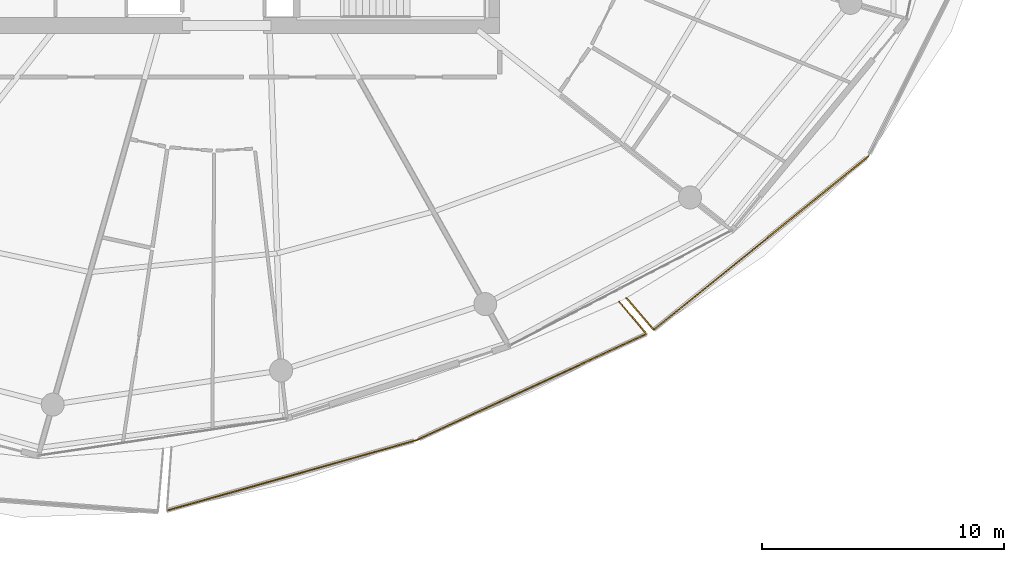
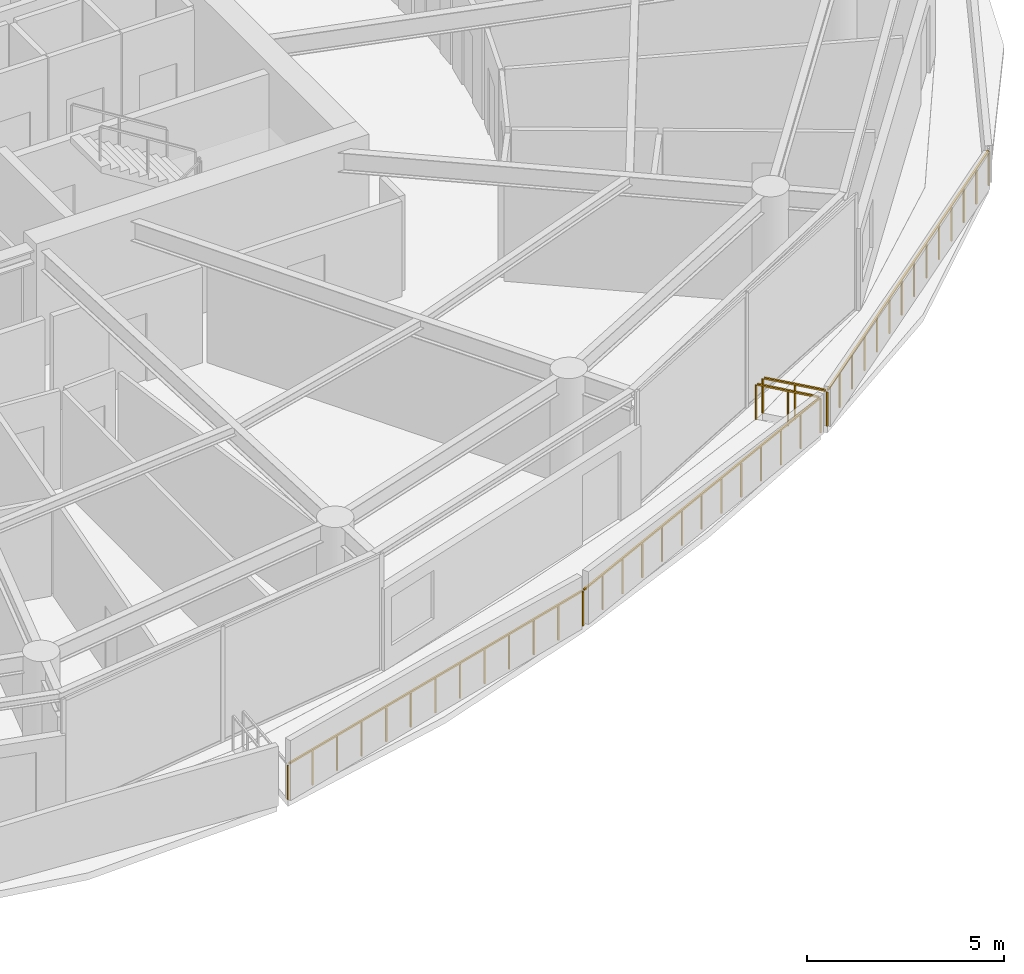
# One storey, part 26 of 30: 5 railings.
"""IFC4 building model written with IfcOpenShell, lengths in metres."""

from ifc_helpers import new_model, si_unit, direction, frame, origin, origin_2d, place, context, subcontext, project, spatial, rectangle, extrude, material, type_object, element, save


model = new_model("IFC4")

# Units and contexts
model_context = context("Model", 3, precision=1e-05, world=origin(), true_north=direction((0.0, 1.0)))
body_context = subcontext(model_context, "Body", "Model", "MODEL_VIEW")
ifc_project = project(units=[si_unit("LENGTHUNIT", "METRE"), si_unit("AREAUNIT", "SQUARE_METRE"), si_unit("VOLUMEUNIT", "CUBIC_METRE"), si_unit("PLANEANGLEUNIT", "RADIAN"), si_unit("MASSUNIT", "GRAM", prefix="KILO")], contexts=[model_context])

# Site, building, storey
site_placement = place(None, origin())
site = spatial("IfcSite", under=ifc_project, at=site_placement, CompositionType="ELEMENT")
building_placement = place(site_placement, origin())
building = spatial("IfcBuilding", under=site, at=building_placement, Name="Kazma Halo Residences", CompositionType="ELEMENT")
storey_placement = place(building_placement, frame((0.0, 0.0, 236.699951171875)))
storey = spatial("IfcBuildingStorey", under=building, at=storey_placement, Name="L59", CompositionType="ELEMENT", Elevation=236.699951171875)

# Railings
ifc_material = material(Name="Aluminium AW-6063 T6 Brushed Cap Rail", Category="aluminium")
railing_type = type_object("IfcRailingType", Name="RLG-BAL-CAP-1120", PredefinedType="BALUSTRADE", material=ifc_material)
railing_1_placement = place(storey_placement, frame((45.94189453125, 13.635498046875, 0.0)))
element("IfcRailing", 1, at=railing_1_placement, inside=storey, type_object=railing_type, Name="L59 SSE wave balcony guard 2", PredefinedType="BALUSTRADE", context=body_context, shape_type="SweptSolid", body=[
    extrude(rectangle(XDim=0.050048828125, YDim=0.050048828125, at=origin_2d()), frame((0.041015625, 0.011474609375, 1.09521484375), z_axis=(0.962459277596, 0.271426120647, 0.0), x_axis=(-0.271426120647, 0.962459277596, 0.0)), (0.0, 0.0, 1.0), 10.645751953125),
    extrude(rectangle(XDim=0.0400390625, YDim=0.0400390625, at=origin_2d()), origin(), (0.0, 0.0, 1.0), 1.05810546875),
    extrude(rectangle(XDim=0.0400390625, YDim=0.0400390625, at=origin_2d()), frame((0.860595703125, 0.24267578125, 0.0)), (0.0, 0.0, 1.0), 1.05810546875),
    extrude(rectangle(XDim=0.0400390625, YDim=0.0400390625, at=origin_2d()), frame((1.72119140625, 0.4853515625, 0.0)), (0.0, 0.0, 1.0), 1.05810546875),
    extrude(rectangle(XDim=0.0400390625, YDim=0.0400390625, at=origin_2d()), frame((2.58203125, 0.72802734375, 0.0)), (0.0, 0.0, 1.0), 1.05810546875),
    extrude(rectangle(XDim=0.0400390625, YDim=0.0400390625, at=origin_2d()), frame((3.442626953125, 0.970947265625, 0.0)), (0.0, 0.0, 1.0), 1.05810546875),
    extrude(rectangle(XDim=0.0400390625, YDim=0.0400390625, at=origin_2d()), frame((4.30322265625, 1.213623046875, 0.0)), (0.0, 0.0, 1.0), 1.05810546875),
    extrude(rectangle(XDim=0.0400390625, YDim=0.0400390625, at=origin_2d()), frame((5.1640625, 1.456298828125, 0.0)), (0.0, 0.0, 1.0), 1.05810546875),
    extrude(rectangle(XDim=0.0400390625, YDim=0.0400390625, at=origin_2d()), frame((6.024658203125, 1.698974609375, 0.0)), (0.0, 0.0, 1.0), 1.05810546875),
    extrude(rectangle(XDim=0.0400390625, YDim=0.0400390625, at=origin_2d()), frame((6.88525390625, 1.941650390625, 0.0)), (0.0, 0.0, 1.0), 1.05810546875),
    extrude(rectangle(XDim=0.0400390625, YDim=0.0400390625, at=origin_2d()), frame((7.745849609375, 2.1845703125, 0.0)), (0.0, 0.0, 1.0), 1.05810546875),
    extrude(rectangle(XDim=0.0400390625, YDim=0.0400390625, at=origin_2d()), frame((8.6064453125, 2.42724609375, 0.0)), (0.0, 0.0, 1.0), 1.05810546875),
    extrude(rectangle(XDim=0.0400390625, YDim=0.0400390625, at=origin_2d()), frame((9.46728515625, 2.669921875, 0.0)), (0.0, 0.0, 1.0), 1.05810546875),
    extrude(rectangle(XDim=0.0400390625, YDim=0.0400390625, at=origin_2d()), frame((10.327880859375, 2.91259765625, 0.0)), (0.0, 0.0, 1.0), 1.05810546875),
])
railing_2_placement = place(storey_placement, frame((56.269775390625, 16.548095703125, 0.0)))
element("IfcRailing", 2, at=railing_2_placement, inside=storey, type_object=railing_type, Name="L59 SSE wave balcony guard 3", PredefinedType="BALUSTRADE", context=body_context, shape_type="SweptSolid", body=[
    extrude(rectangle(XDim=0.050048828125, YDim=0.050048828125, at=origin_2d()), frame((0.03857421875, 0.017822265625, 1.09521484375), z_axis=(0.907848041768, 0.419299335867, 0.0), x_axis=(-0.419299335867, 0.907848041768, 0.0)), (0.0, 0.0, 1.0), 10.378662109375),
    extrude(rectangle(XDim=0.0400390625, YDim=0.0400390625, at=origin_2d()), origin(), (0.0, 0.0, 1.0), 1.05810546875),
    extrude(rectangle(XDim=0.0400390625, YDim=0.0400390625, at=origin_2d()), frame((0.79150390625, 0.36572265625, 0.0)), (0.0, 0.0, 1.0), 1.05810546875),
    extrude(rectangle(XDim=0.0400390625, YDim=0.0400390625, at=origin_2d()), frame((1.583251953125, 0.731201171875, 0.0)), (0.0, 0.0, 1.0), 1.05810546875),
    extrude(rectangle(XDim=0.0400390625, YDim=0.0400390625, at=origin_2d()), frame((2.375, 1.096923828125, 0.0)), (0.0, 0.0, 1.0), 1.05810546875),
    extrude(rectangle(XDim=0.0400390625, YDim=0.0400390625, at=origin_2d()), frame((3.16650390625, 1.46240234375, 0.0)), (0.0, 0.0, 1.0), 1.05810546875),
    extrude(rectangle(XDim=0.0400390625, YDim=0.0400390625, at=origin_2d()), frame((3.9580078125, 1.828125, 0.0)), (0.0, 0.0, 1.0), 1.05810546875),
    extrude(rectangle(XDim=0.0400390625, YDim=0.0400390625, at=origin_2d()), frame((4.749755859375, 2.19384765625, 0.0)), (0.0, 0.0, 1.0), 1.05810546875),
    extrude(rectangle(XDim=0.0400390625, YDim=0.0400390625, at=origin_2d()), frame((5.54150390625, 2.559326171875, 0.0)), (0.0, 0.0, 1.0), 1.05810546875),
    extrude(rectangle(XDim=0.0400390625, YDim=0.0400390625, at=origin_2d()), frame((6.3330078125, 2.925048828125, 0.0)), (0.0, 0.0, 1.0), 1.05810546875),
    extrude(rectangle(XDim=0.0400390625, YDim=0.0400390625, at=origin_2d()), frame((7.12451171875, 3.29052734375, 0.0)), (0.0, 0.0, 1.0), 1.05810546875),
    extrude(rectangle(XDim=0.0400390625, YDim=0.0400390625, at=origin_2d()), frame((7.916259765625, 3.65625, 0.0)), (0.0, 0.0, 1.0), 1.05810546875),
    extrude(rectangle(XDim=0.0400390625, YDim=0.0400390625, at=origin_2d()), frame((8.7080078125, 4.021728515625, 0.0)), (0.0, 0.0, 1.0), 1.05810546875),
    extrude(rectangle(XDim=0.0400390625, YDim=0.0400390625, at=origin_2d()), frame((9.49951171875, 4.387451171875, 0.0)), (0.0, 0.0, 1.0), 1.05810546875),
])
railing_3_placement = place(storey_placement, frame((65.769287109375, 20.935546875, 0.0)))
element("IfcRailing", 3, at=railing_3_placement, inside=storey, type_object=railing_type, Name="L59 SSE wave balcony guard 4", PredefinedType="BALUSTRADE", context=body_context, shape_type="SweptSolid", body=[
    extrude(rectangle(XDim=0.050048828125, YDim=0.050048828125, at=origin_2d()), frame((-0.02734375, 0.032470703125, 1.09521484375), z_axis=(-0.644812173363, 0.764341063324, 0.0), x_axis=(-0.764341063324, -0.644812173363, 0.0)), (0.0, 0.0, 1.0), 1.6591796875),
    extrude(rectangle(XDim=0.0400390625, YDim=0.0400390625, at=origin_2d()), origin(), (0.0, 0.0, 1.0), 1.05810546875),
    extrude(rectangle(XDim=0.0400390625, YDim=0.0400390625, at=origin_2d()), frame((-0.5625, 0.66650390625, 0.0)), (0.0, 0.0, 1.0), 1.05810546875),
    extrude(rectangle(XDim=0.0400390625, YDim=0.0400390625, at=origin_2d()), frame((-1.124755859375, 1.333251953125, 0.0)), (0.0, 0.0, 1.0), 1.05810546875),
])
railing_4_placement = place(storey_placement, frame((64.93212890625, 22.41845703125, 0.0)))
element("IfcRailing", 4, at=railing_4_placement, inside=storey, type_object=railing_type, Name="L59 SE wave balcony guard 1", PredefinedType="BALUSTRADE", context=body_context, shape_type="SweptSolid", body=[
    extrude(rectangle(XDim=0.050048828125, YDim=0.050048828125, at=origin_2d()), frame((0.02783203125, -0.0322265625, 1.09521484375), z_axis=(0.654051886651, -0.7564496874, 0.0), x_axis=(0.7564496874, 0.654051886651, 0.0)), (0.0, 0.0, 1.0), 1.650634765625),
    extrude(rectangle(XDim=0.0400390625, YDim=0.0400390625, at=origin_2d()), origin(), (0.0, 0.0, 1.0), 1.05810546875),
    extrude(rectangle(XDim=0.0400390625, YDim=0.0400390625, at=origin_2d()), frame((0.567626953125, -0.656494140625, 0.0)), (0.0, 0.0, 1.0), 1.05810546875),
    extrude(rectangle(XDim=0.0400390625, YDim=0.0400390625, at=origin_2d()), frame((1.13525390625, -1.31298828125, 0.0)), (0.0, 0.0, 1.0), 1.05810546875),
])
railing_5_placement = place(storey_placement, frame((66.0673828125, 21.10546875, 0.0)))
element("IfcRailing", 5, at=railing_5_placement, inside=storey, type_object=railing_type, Name="L59 SE wave balcony guard 2", PredefinedType="BALUSTRADE", context=body_context, shape_type="SweptSolid", body=[
    extrude(rectangle(XDim=0.050048828125, YDim=0.050048828125, at=origin_2d()), frame((0.033203125, 0.02685546875, 1.09521484375), z_axis=(0.777696828028, 0.628639518067, 0.0), x_axis=(-0.628639518067, 0.777696828028, 0.0)), (0.0, 0.0, 1.0), 11.319580078125),
    extrude(rectangle(XDim=0.0400390625, YDim=0.0400390625, at=origin_2d()), origin(), (0.0, 0.0, 1.0), 1.05810546875),
    extrude(rectangle(XDim=0.0400390625, YDim=0.0400390625, at=origin_2d()), frame((0.682373046875, 0.551513671875, 0.0)), (0.0, 0.0, 1.0), 1.05810546875),
    extrude(rectangle(XDim=0.0400390625, YDim=0.0400390625, at=origin_2d()), frame((1.364501953125, 1.10302734375, 0.0)), (0.0, 0.0, 1.0), 1.05810546875),
    extrude(rectangle(XDim=0.0400390625, YDim=0.0400390625, at=origin_2d()), frame((2.046875, 1.654541015625, 0.0)), (0.0, 0.0, 1.0), 1.05810546875),
    extrude(rectangle(XDim=0.0400390625, YDim=0.0400390625, at=origin_2d()), frame((2.72900390625, 2.2060546875, 0.0)), (0.0, 0.0, 1.0), 1.05810546875),
    extrude(rectangle(XDim=0.0400390625, YDim=0.0400390625, at=origin_2d()), frame((3.411376953125, 2.757568359375, 0.0)), (0.0, 0.0, 1.0), 1.05810546875),
    extrude(rectangle(XDim=0.0400390625, YDim=0.0400390625, at=origin_2d()), frame((4.093505859375, 3.30908203125, 0.0)), (0.0, 0.0, 1.0), 1.05810546875),
    extrude(rectangle(XDim=0.0400390625, YDim=0.0400390625, at=origin_2d()), frame((4.77587890625, 3.8603515625, 0.0)), (0.0, 0.0, 1.0), 1.05810546875),
    extrude(rectangle(XDim=0.0400390625, YDim=0.0400390625, at=origin_2d()), frame((5.4580078125, 4.411865234375, 0.0)), (0.0, 0.0, 1.0), 1.05810546875),
    extrude(rectangle(XDim=0.0400390625, YDim=0.0400390625, at=origin_2d()), frame((6.140380859375, 4.96337890625, 0.0)), (0.0, 0.0, 1.0), 1.05810546875),
    extrude(rectangle(XDim=0.0400390625, YDim=0.0400390625, at=origin_2d()), frame((6.822509765625, 5.514892578125, 0.0)), (0.0, 0.0, 1.0), 1.05810546875),
    extrude(rectangle(XDim=0.0400390625, YDim=0.0400390625, at=origin_2d()), frame((7.5048828125, 6.06640625, 0.0)), (0.0, 0.0, 1.0), 1.05810546875),
    extrude(rectangle(XDim=0.0400390625, YDim=0.0400390625, at=origin_2d()), frame((8.18701171875, 6.617919921875, 0.0)), (0.0, 0.0, 1.0), 1.05810546875),
    extrude(rectangle(XDim=0.0400390625, YDim=0.0400390625, at=origin_2d()), frame((8.869384765625, 7.16943359375, 0.0)), (0.0, 0.0, 1.0), 1.05810546875),
])

save(model, "model.ifc")
